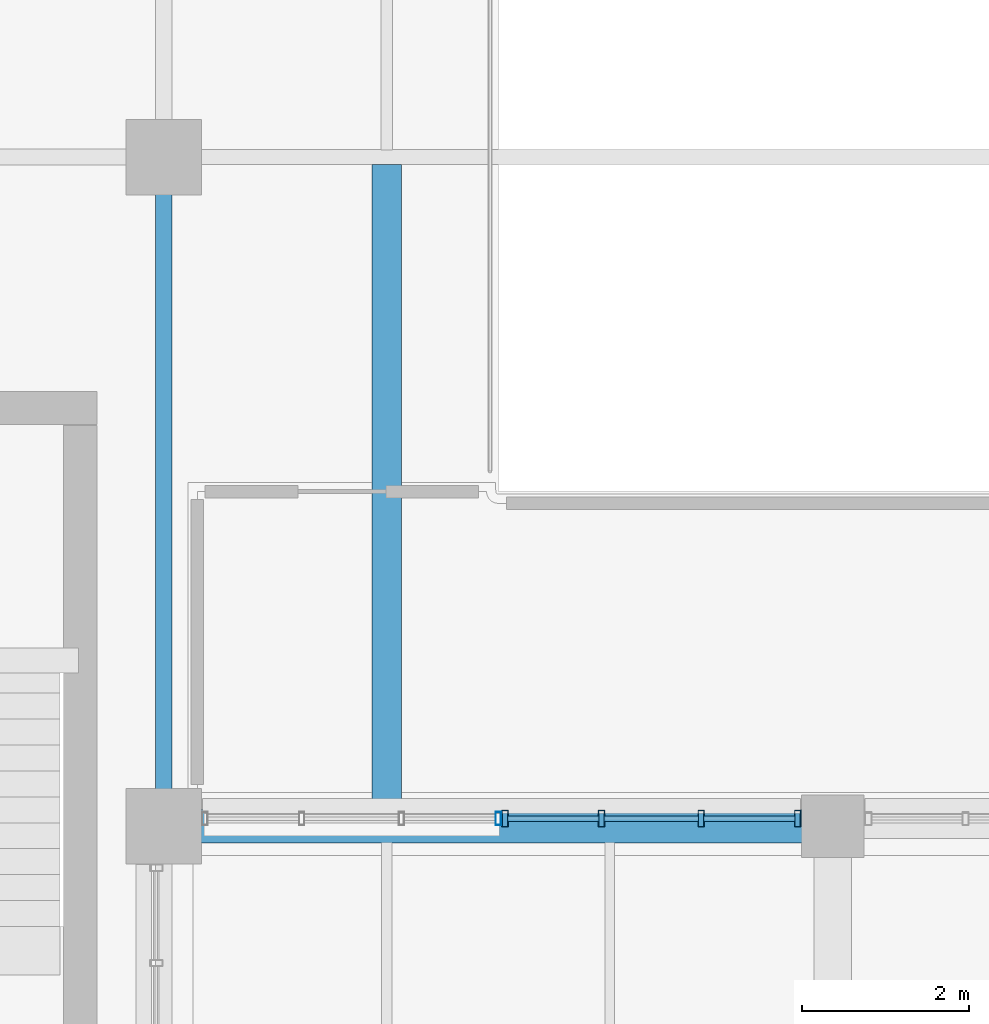
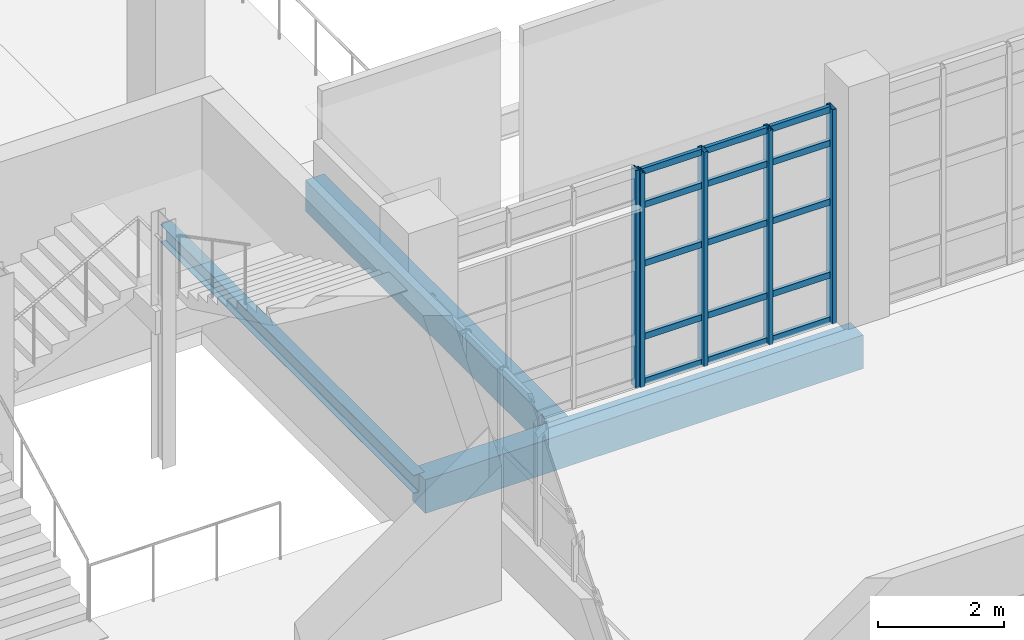
# One storey, part 15 of 102: 20 members, 3 beams, 2 elements without a shape of their own.
"""IFC4 building model written with IfcOpenShell, lengths in metres."""

from ifc_helpers import new_model, si_unit, derived_unit, direction, frame, origin, origin_2d, place, context, subcontext, project, spatial, rectangle, hollow_rectangle, i_section, extrude, material, layer, layer_set, material_profile, profile_set, type_object, element, aggregate, save


model = new_model("IFC4")

# Units and contexts
model_context = context("Model", 3, precision=1e-05, world=origin(), true_north=direction((0.0, 1.0)))
body_context = subcontext(model_context, "Body", "Model", "MODEL_VIEW")
ifc_project = project(units=[si_unit("LENGTHUNIT", "METRE"), si_unit("AREAUNIT", "SQUARE_METRE"), si_unit("VOLUMEUNIT", "CUBIC_METRE"), si_unit("PLANEANGLEUNIT", "RADIAN"), si_unit("MASSUNIT", "GRAM", prefix="KILO"), derived_unit("THERMALTRANSMITTANCEUNIT", [(si_unit("POWERUNIT", "WATT"), 1), (si_unit("LENGTHUNIT", "METRE"), -2), (si_unit("THERMODYNAMICTEMPERATUREUNIT", "KELVIN"), -1)])], contexts=[model_context])

# Site, building, storey
site_placement = place(None, origin())
site = spatial("IfcSite", under=ifc_project, at=site_placement, CompositionType="ELEMENT")
building_placement = place(site_placement, origin())
building = spatial("IfcBuilding", under=site, at=building_placement, Name="Nallur Shell Playhouse", CompositionType="ELEMENT")
storey_placement = place(building_placement, frame((0.0, 0.0, 15.0)))
storey = spatial("IfcBuildingStorey", under=building, at=storey_placement, Name="L04", CompositionType="ELEMENT", Elevation=15.0)

# Beams
ifc_material_1 = material(Name="Concrete M30", Category="concrete")
ifc_material_profile_1 = material_profile(ifc_material_1, rectangle(XDim=0.35009765625, YDim=0.60009765625, at=origin_2d()), Name="RC 350x600")
ifc_profile_set_1 = profile_set([ifc_material_profile_1], Name="Concrete M30")
beam_type_1 = type_object("IfcBeamType", Name="BM-RC-350x600", PredefinedType="JOIST", material=ifc_profile_set_1)
beam_1_placement = place(storey_placement, frame((42.666748046875, 16.197998046875, -0.56005859375), z_axis=(0.0, 1.0, 0.0), x_axis=(-1.0, 0.0, 0.0)))
element("IfcBeam", 1, at=beam_1_placement, inside=storey, type_object=beam_type_1, Name="L04 secondary joist 5-B-900", PredefinedType="JOIST", context=body_context, shape_type="SweptSolid", body=[
    extrude(rectangle(XDim=0.35009765625, YDim=0.60009765625, at=origin_2d()), origin(), (0.0, 0.0, 1.0), 7.714111328125),
])
ifc_material_2 = material(Name="Concrete M35", Category="concrete")
ifc_material_profile_2 = material_profile(ifc_material_2, rectangle(XDim=0.39990234375, YDim=0.64990234375, at=origin_2d()), Name="RC 400x650")
ifc_profile_set_2 = profile_set([ifc_material_profile_2], Name="Concrete M35")
beam_type_2 = type_object("IfcBeamType", Name="BM-RC-400x650", PredefinedType="BEAM", material=ifc_profile_set_2)
beam_2_placement = place(storey_placement, frame((40.0, 16.0, -0.5849609375), z_axis=(1.0, 0.0, 0.0), x_axis=(0.0, 1.0, 0.0)))
element("IfcBeam", 2, at=beam_2_placement, inside=storey, type_object=beam_type_2, Name="L04 girder X-B-751", PredefinedType="BEAM", context=body_context, shape_type="SweptSolid", body=[
    extrude(rectangle(XDim=0.39990234375, YDim=0.64990234375, at=origin_2d()), origin(), (0.0, 0.0, 1.0), 8.0),
])
ifc_material_3 = material(Name="Steel E350", Category="steel")
ifc_material_profile_3 = material_profile(ifc_material_3, i_section(OverallWidth=0.199951171875, OverallDepth=0.35009765625, WebThickness=0.008056640625, FlangeThickness=0.011474609375, FilletRadius=0.011962890625, at=origin_2d()), Name="ISWB 350")
ifc_profile_set_3 = profile_set([ifc_material_profile_3], Name="Steel E350")
beam_type_3 = type_object("IfcBeamType", Name="BM-ST-ISWB350", PredefinedType="BEAM", material=ifc_profile_set_3)
beam_3_placement = place(storey_placement, frame((40.0, 16.0, -0.43505859375), z_axis=(0.0, 1.0, 0.0), x_axis=(-1.0, 0.0, 0.0)))
element("IfcBeam", 3, at=beam_3_placement, inside=storey, type_object=beam_type_3, Name="L04 girder Y-5-822", PredefinedType="BEAM", context=body_context, shape_type="SweptSolid", body=[
    extrude(i_section(OverallWidth=0.199951171875, OverallDepth=0.35009765625, WebThickness=0.008056640625, FlangeThickness=0.011474609375, FilletRadius=0.011962890625, at=origin_2d()), origin(), (0.0, 0.0, 1.0), 8.0),
])

# Curtain wall, member
ifc_material_4 = material(Name="Anodised Aluminium Double-Glazed Facade System", Category="aluminium")
ifc_layer_1 = layer(ifc_material_4, 0.16796875)
ifc_layer_set_1 = layer_set([ifc_layer_1], Name="Anodised Aluminium Double-Glazed Facade System")
curtain_wall_type_1 = type_object("IfcCurtainWallType", Name="CW-UNIT-08", PredefinedType="NOTDEFINED", material=ifc_layer_set_1)
curtain_wall_1_placement = place(storey_placement, origin())
curtain_wall_1 = element("IfcCurtainWall", 4, at=curtain_wall_1_placement, inside=storey, type_object=curtain_wall_type_1, Name="Unitised curtain wall CW-136 (L04)", PredefinedType="NOTDEFINED")
ifc_material_5 = material(Name="Aluminium Alloy 6063-T6 Mullion", Category="aluminium")
ifc_material_profile_4 = material_profile(ifc_material_5, hollow_rectangle(XDim=0.06494140625, YDim=0.159912109375, WallThickness=0.00390625, at=origin_2d()), Name="ALU 65x160x4")
ifc_profile_set_4 = profile_set([ifc_material_profile_4], Name="Aluminium Alloy 6063-T6 Mullion")
member_type_1 = type_object("IfcMemberType", Name="MB-CW-MUL160", PredefinedType="MULLION", material=ifc_profile_set_4)
member_1_placement = place(storey_placement, frame((44.0, 16.090087890625, -0.014892578125), z_axis=(0.0, 0.0, 1.0), x_axis=(-1.0, 0.0, 0.0)))
member_1 = element("IfcMember", 5, at=member_1_placement, type_object=member_type_1, Name="CW-08 mullion 1", PredefinedType="MULLION", context=body_context, shape_type="SweptSolid", body=[
    extrude(hollow_rectangle(XDim=0.06494140625, YDim=0.159912109375, WallThickness=0.00390625, at=origin_2d()), origin(), (0.0, 0.0, 1.0), 4.203857421875),
])
aggregate(curtain_wall_1, [member_1])

# Curtain wall, members
ifc_layer_2 = layer(ifc_material_4, 0.1640625)
ifc_layer_set_2 = layer_set([ifc_layer_2], Name="Anodised Aluminium Double-Glazed Facade System")
curtain_wall_type_2 = type_object("IfcCurtainWallType", Name="CW-UNIT-07", PredefinedType="NOTDEFINED", material=ifc_layer_set_2)
curtain_wall_2_placement = place(storey_placement, origin())
curtain_wall_2 = element("IfcCurtainWall", 6, at=curtain_wall_2_placement, inside=storey, type_object=curtain_wall_type_2, Name="Unitised curtain wall CW-135 (L04)", PredefinedType="NOTDEFINED")
ifc_material_profile_5 = material_profile(ifc_material_5, hollow_rectangle(XDim=0.074951171875, YDim=0.199951171875, WallThickness=0.0048828125, at=origin_2d()), Name="ALU 75x200x5")
ifc_profile_set_5 = profile_set([ifc_material_profile_5], Name="Aluminium Alloy 6063-T6 Mullion")
member_type_2 = type_object("IfcMemberType", Name="MB-CW-MUL180", PredefinedType="MULLION", material=ifc_profile_set_5)
member_2_placement = place(storey_placement, frame((47.57958984375, 16.090087890625, -0.014892578125), z_axis=(0.0, 0.0, 1.0), x_axis=(-1.0, 0.0, 0.0)))
member_2 = element("IfcMember", 7, at=member_2_placement, type_object=member_type_2, Name="CW-07 mullion 1", PredefinedType="MULLION", context=body_context, shape_type="SweptSolid", body=[
    extrude(hollow_rectangle(XDim=0.074951171875, YDim=0.199951171875, WallThickness=0.0048828125, at=origin_2d()), origin(), (0.0, 0.0, 1.0), 4.143798828125),
])
member_3_placement = place(storey_placement, frame((46.425537109375, 16.090087890625, -0.014892578125), z_axis=(0.0, 0.0, 1.0), x_axis=(-1.0, 0.0, 0.0)))
member_3 = element("IfcMember", 8, at=member_3_placement, type_object=member_type_2, Name="CW-07 mullion 2", PredefinedType="MULLION", context=body_context, shape_type="SweptSolid", body=[
    extrude(hollow_rectangle(XDim=0.074951171875, YDim=0.199951171875, WallThickness=0.0048828125, at=origin_2d()), origin(), (0.0, 0.0, 1.0), 4.143798828125),
])
member_4_placement = place(storey_placement, frame((45.23388671875, 16.090087890625, -0.014892578125), z_axis=(0.0, 0.0, 1.0), x_axis=(-1.0, 0.0, 0.0)))
member_4 = element("IfcMember", 9, at=member_4_placement, type_object=member_type_2, Name="CW-07 mullion 3", PredefinedType="MULLION", context=body_context, shape_type="SweptSolid", body=[
    extrude(hollow_rectangle(XDim=0.074951171875, YDim=0.199951171875, WallThickness=0.0048828125, at=origin_2d()), origin(), (0.0, 0.0, 1.0), 4.143798828125),
])
member_5_placement = place(storey_placement, frame((44.080078125, 16.090087890625, -0.014892578125), z_axis=(0.0, 0.0, 1.0), x_axis=(-1.0, 0.0, 0.0)))
member_5 = element("IfcMember", 10, at=member_5_placement, type_object=member_type_2, Name="CW-07 mullion 4", PredefinedType="MULLION", context=body_context, shape_type="SweptSolid", body=[
    extrude(hollow_rectangle(XDim=0.074951171875, YDim=0.199951171875, WallThickness=0.0048828125, at=origin_2d()), origin(), (0.0, 0.0, 1.0), 4.143798828125),
])
ifc_material_6 = material(Name="Aluminium Alloy 6063-T6 Transom", Category="aluminium")
ifc_material_profile_6 = material_profile(ifc_material_6, hollow_rectangle(XDim=0.06494140625, YDim=0.1201171875, WallThickness=0.00390625, at=origin_2d()), Name="ALU 65x120x4")
ifc_profile_set_6 = profile_set([ifc_material_profile_6], Name="Aluminium Alloy 6063-T6 Transom")
member_type_3 = type_object("IfcMemberType", Name="MB-CW-TRN120", PredefinedType="USERDEFINED", material=ifc_profile_set_6)
member_6_placement = place(storey_placement, frame((47.550048828125, 16.090087890625, 0.032470703125), z_axis=(-1.0, 0.0, 0.0), x_axis=(0.0, -1.0, 0.0)))
member_6 = element("IfcMember", 11, at=member_6_placement, type_object=member_type_3, Name="CW-07 transom 1.1", ObjectType="TRANSOM", PredefinedType="USERDEFINED", context=body_context, shape_type="SweptSolid", body=[
    extrude(hollow_rectangle(XDim=0.06494140625, YDim=0.1201171875, WallThickness=0.00390625, at=origin_2d()), origin(), (0.0, 0.0, 1.0), 1.094970703125),
])
member_7_placement = place(storey_placement, frame((47.550048828125, 16.090087890625, 0.89990234375), z_axis=(-1.0, 0.0, 0.0), x_axis=(0.0, -1.0, 0.0)))
member_7 = element("IfcMember", 12, at=member_7_placement, type_object=member_type_3, Name="CW-07 transom 1.2", ObjectType="TRANSOM", PredefinedType="USERDEFINED", context=body_context, shape_type="SweptSolid", body=[
    extrude(hollow_rectangle(XDim=0.06494140625, YDim=0.1201171875, WallThickness=0.00390625, at=origin_2d()), origin(), (0.0, 0.0, 1.0), 1.094970703125),
])
member_8_placement = place(storey_placement, frame((47.550048828125, 16.090087890625, 2.31005859375), z_axis=(-1.0, 0.0, 0.0), x_axis=(0.0, -1.0, 0.0)))
member_8 = element("IfcMember", 13, at=member_8_placement, type_object=member_type_3, Name="CW-07 transom 1.3", ObjectType="TRANSOM", PredefinedType="USERDEFINED", context=body_context, shape_type="SweptSolid", body=[
    extrude(hollow_rectangle(XDim=0.06494140625, YDim=0.1201171875, WallThickness=0.00390625, at=origin_2d()), origin(), (0.0, 0.0, 1.0), 1.094970703125),
])
member_9_placement = place(storey_placement, frame((47.550048828125, 16.090087890625, 3.445068359375), z_axis=(-1.0, 0.0, 0.0), x_axis=(0.0, -1.0, 0.0)))
member_9 = element("IfcMember", 14, at=member_9_placement, type_object=member_type_3, Name="CW-07 transom 1.4", ObjectType="TRANSOM", PredefinedType="USERDEFINED", context=body_context, shape_type="SweptSolid", body=[
    extrude(hollow_rectangle(XDim=0.06494140625, YDim=0.1201171875, WallThickness=0.00390625, at=origin_2d()), origin(), (0.0, 0.0, 1.0), 1.094970703125),
])
member_10_placement = place(storey_placement, frame((47.550048828125, 16.090087890625, 4.092529296875), z_axis=(-1.0, 0.0, 0.0), x_axis=(0.0, -1.0, 0.0)))
member_10 = element("IfcMember", 15, at=member_10_placement, type_object=member_type_3, Name="CW-07 transom 1.5", ObjectType="TRANSOM", PredefinedType="USERDEFINED", context=body_context, shape_type="SweptSolid", body=[
    extrude(hollow_rectangle(XDim=0.06494140625, YDim=0.1201171875, WallThickness=0.00390625, at=origin_2d()), origin(), (0.0, 0.0, 1.0), 1.094970703125),
])
member_11_placement = place(storey_placement, frame((46.39599609375, 16.090087890625, 0.032470703125), z_axis=(-1.0, 0.0, 0.0), x_axis=(0.0, -1.0, 0.0)))
member_11 = element("IfcMember", 16, at=member_11_placement, type_object=member_type_3, Name="CW-07 transom 2.1", ObjectType="TRANSOM", PredefinedType="USERDEFINED", context=body_context, shape_type="SweptSolid", body=[
    extrude(hollow_rectangle(XDim=0.06494140625, YDim=0.1201171875, WallThickness=0.00390625, at=origin_2d()), origin(), (0.0, 0.0, 1.0), 1.132568359375),
])
member_12_placement = place(storey_placement, frame((46.39599609375, 16.090087890625, 0.89990234375), z_axis=(-1.0, 0.0, 0.0), x_axis=(0.0, -1.0, 0.0)))
member_12 = element("IfcMember", 17, at=member_12_placement, type_object=member_type_3, Name="CW-07 transom 2.2", ObjectType="TRANSOM", PredefinedType="USERDEFINED", context=body_context, shape_type="SweptSolid", body=[
    extrude(hollow_rectangle(XDim=0.06494140625, YDim=0.1201171875, WallThickness=0.00390625, at=origin_2d()), origin(), (0.0, 0.0, 1.0), 1.132568359375),
])
member_13_placement = place(storey_placement, frame((46.39599609375, 16.090087890625, 2.31005859375), z_axis=(-1.0, 0.0, 0.0), x_axis=(0.0, -1.0, 0.0)))
member_13 = element("IfcMember", 18, at=member_13_placement, type_object=member_type_3, Name="CW-07 transom 2.3", ObjectType="TRANSOM", PredefinedType="USERDEFINED", context=body_context, shape_type="SweptSolid", body=[
    extrude(hollow_rectangle(XDim=0.06494140625, YDim=0.1201171875, WallThickness=0.00390625, at=origin_2d()), origin(), (0.0, 0.0, 1.0), 1.132568359375),
])
member_14_placement = place(storey_placement, frame((46.39599609375, 16.090087890625, 3.445068359375), z_axis=(-1.0, 0.0, 0.0), x_axis=(0.0, -1.0, 0.0)))
member_14 = element("IfcMember", 19, at=member_14_placement, type_object=member_type_3, Name="CW-07 transom 2.4", ObjectType="TRANSOM", PredefinedType="USERDEFINED", context=body_context, shape_type="SweptSolid", body=[
    extrude(hollow_rectangle(XDim=0.06494140625, YDim=0.1201171875, WallThickness=0.00390625, at=origin_2d()), origin(), (0.0, 0.0, 1.0), 1.132568359375),
])
member_15_placement = place(storey_placement, frame((46.39599609375, 16.090087890625, 4.092529296875), z_axis=(-1.0, 0.0, 0.0), x_axis=(0.0, -1.0, 0.0)))
member_15 = element("IfcMember", 20, at=member_15_placement, type_object=member_type_3, Name="CW-07 transom 2.5", ObjectType="TRANSOM", PredefinedType="USERDEFINED", context=body_context, shape_type="SweptSolid", body=[
    extrude(hollow_rectangle(XDim=0.06494140625, YDim=0.1201171875, WallThickness=0.00390625, at=origin_2d()), origin(), (0.0, 0.0, 1.0), 1.132568359375),
])
member_16_placement = place(storey_placement, frame((45.20458984375, 16.090087890625, 0.032470703125), z_axis=(-1.0, 0.0, 0.0), x_axis=(0.0, -1.0, 0.0)))
member_16 = element("IfcMember", 21, at=member_16_placement, type_object=member_type_3, Name="CW-07 transom 3.1", ObjectType="TRANSOM", PredefinedType="USERDEFINED", context=body_context, shape_type="SweptSolid", body=[
    extrude(hollow_rectangle(XDim=0.06494140625, YDim=0.1201171875, WallThickness=0.00390625, at=origin_2d()), origin(), (0.0, 0.0, 1.0), 1.094970703125),
])
member_17_placement = place(storey_placement, frame((45.20458984375, 16.090087890625, 0.89990234375), z_axis=(-1.0, 0.0, 0.0), x_axis=(0.0, -1.0, 0.0)))
member_17 = element("IfcMember", 22, at=member_17_placement, type_object=member_type_3, Name="CW-07 transom 3.2", ObjectType="TRANSOM", PredefinedType="USERDEFINED", context=body_context, shape_type="SweptSolid", body=[
    extrude(hollow_rectangle(XDim=0.06494140625, YDim=0.1201171875, WallThickness=0.00390625, at=origin_2d()), origin(), (0.0, 0.0, 1.0), 1.094970703125),
])
member_18_placement = place(storey_placement, frame((45.20458984375, 16.090087890625, 2.31005859375), z_axis=(-1.0, 0.0, 0.0), x_axis=(0.0, -1.0, 0.0)))
member_18 = element("IfcMember", 23, at=member_18_placement, type_object=member_type_3, Name="CW-07 transom 3.3", ObjectType="TRANSOM", PredefinedType="USERDEFINED", context=body_context, shape_type="SweptSolid", body=[
    extrude(hollow_rectangle(XDim=0.06494140625, YDim=0.1201171875, WallThickness=0.00390625, at=origin_2d()), origin(), (0.0, 0.0, 1.0), 1.094970703125),
])
member_19_placement = place(storey_placement, frame((45.20458984375, 16.090087890625, 3.445068359375), z_axis=(-1.0, 0.0, 0.0), x_axis=(0.0, -1.0, 0.0)))
member_19 = element("IfcMember", 24, at=member_19_placement, type_object=member_type_3, Name="CW-07 transom 3.4", ObjectType="TRANSOM", PredefinedType="USERDEFINED", context=body_context, shape_type="SweptSolid", body=[
    extrude(hollow_rectangle(XDim=0.06494140625, YDim=0.1201171875, WallThickness=0.00390625, at=origin_2d()), origin(), (0.0, 0.0, 1.0), 1.094970703125),
])
member_20_placement = place(storey_placement, frame((45.20458984375, 16.090087890625, 4.092529296875), z_axis=(-1.0, 0.0, 0.0), x_axis=(0.0, -1.0, 0.0)))
member_20 = element("IfcMember", 25, at=member_20_placement, type_object=member_type_3, Name="CW-07 transom 3.5", ObjectType="TRANSOM", PredefinedType="USERDEFINED", context=body_context, shape_type="SweptSolid", body=[
    extrude(hollow_rectangle(XDim=0.06494140625, YDim=0.1201171875, WallThickness=0.00390625, at=origin_2d()), origin(), (0.0, 0.0, 1.0), 1.094970703125),
])
aggregate(curtain_wall_2, [member_2, member_3, member_4, member_5, member_6, member_7, member_8, member_9, member_10, member_11, member_12, member_13, member_14, member_15, member_16, member_17, member_18, member_19, member_20])

save(model, "model.ifc")
